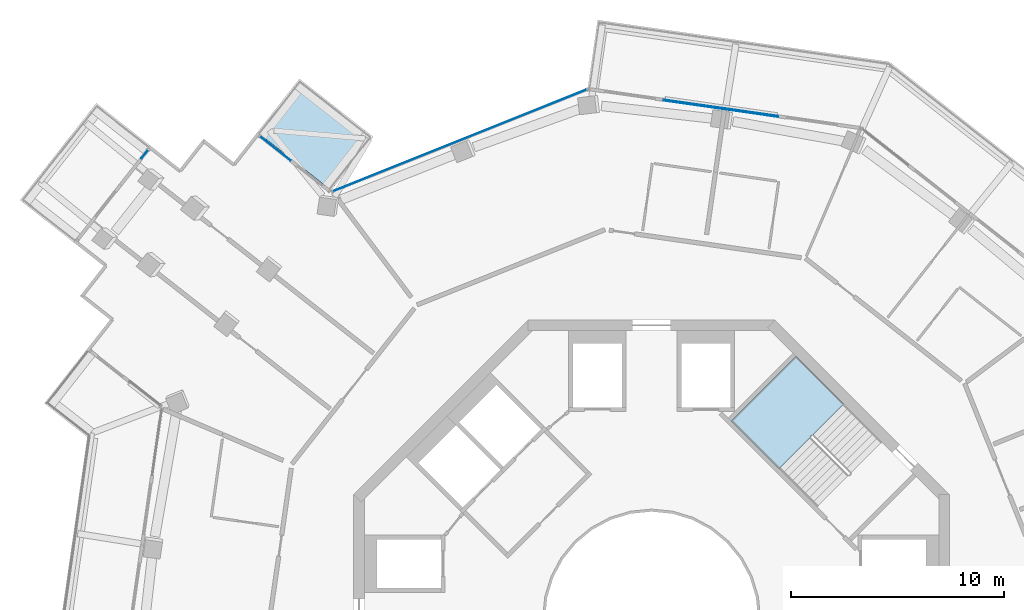
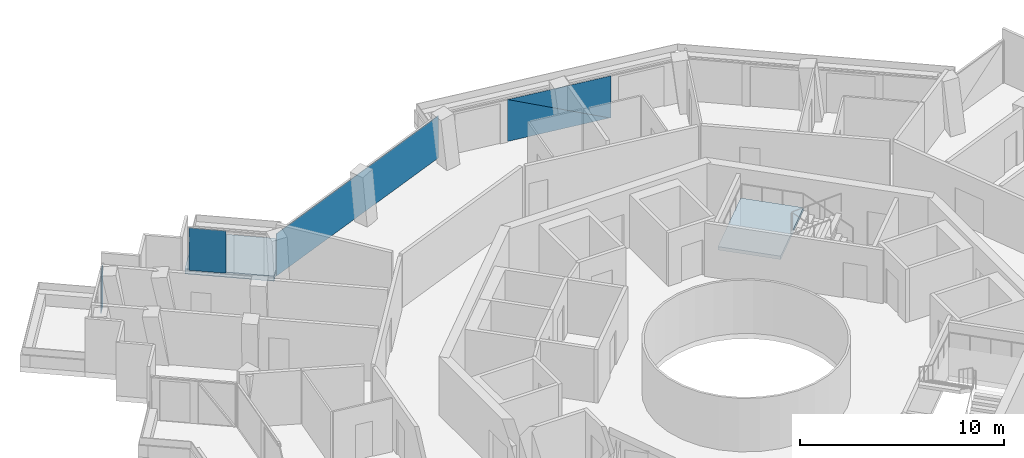
# One storey, part 13 of 23: 5 plates, 2 slabs, 5 elements without a shape of their own.
"""IFC4 building model written with IfcOpenShell, lengths in metres."""

from ifc_helpers import new_model, si_unit, direction, frame, origin, origin_2d, place, context, subcontext, project, spatial, polyline, rectangle, outline, extrude, material, layer, layer_set, type_object, element, aggregate, save


model = new_model("IFC4")

# Units and contexts
model_context = context("Model", 3, precision=1e-05, world=origin(), true_north=direction((0.0, 1.0)))
body_context = subcontext(model_context, "Body", "Model", "MODEL_VIEW")
ifc_project = project(units=[si_unit("LENGTHUNIT", "METRE"), si_unit("AREAUNIT", "SQUARE_METRE"), si_unit("VOLUMEUNIT", "CUBIC_METRE"), si_unit("PLANEANGLEUNIT", "RADIAN"), si_unit("MASSUNIT", "GRAM", prefix="KILO")], contexts=[model_context])

# Site, building, storey
site_placement = place(None, origin())
site = spatial("IfcSite", under=ifc_project, at=site_placement, CompositionType="ELEMENT")
building_placement = place(site_placement, origin())
building = spatial("IfcBuilding", under=site, at=building_placement, Name="Verdalira Terraces Hotel", CompositionType="ELEMENT")
storey_placement = place(building_placement, frame((0.0, 0.0, 244.5)))
storey = spatial("IfcBuildingStorey", under=building, at=storey_placement, Name="L60", CompositionType="ELEMENT", Elevation=244.5)

# Slab
ifc_material_1 = material(Name="Precast concrete C40/50", Category="concrete")
ifc_layer_1 = layer(ifc_material_1, 0.31005859375)
ifc_layer_set_1 = layer_set([ifc_layer_1], Name="Balcony deck 310")
slab_type_1 = type_object("IfcSlabType", Name="Balcony deck 310", PredefinedType="FLOOR", material=ifc_layer_set_1)
slab_1_placement = place(storey_placement, frame((0.0, 0.0, -0.310059)))
element("IfcSlab", 1, at=slab_1_placement, inside=storey, type_object=slab_type_1, Name="Balcony deck", PredefinedType="FLOOR", context=body_context, shape_type="SweptSolid", body=[
    extrude(outline(polyline([(-16.549072, 25.340576), (-18.526123, 22.824463), (-15.057861, 20.099121), (-13.080811, 22.615234), (-16.549072, 25.340576)])), origin(), (0.0, 0.0, 1.0), 0.310059),
])

# Curtain wall, plates
ifc_material_2 = material(Name="Clear glass", Category="glass")
ifc_layer_2 = layer(ifc_material_2, 0.14990234375)
ifc_layer_set_2 = layer_set([ifc_layer_2], Name="CW1 curtain wall")
curtain_wall_type_1 = type_object("IfcCurtainWallType", Name="CW1 curtain wall", PredefinedType="NOTDEFINED", material=ifc_layer_set_2)
curtain_wall_1_placement = place(storey_placement, origin())
curtain_wall_1 = element("IfcCurtainWall", 2, at=curtain_wall_1_placement, inside=storey, type_object=curtain_wall_type_1, Name="CW1 curtain wall L60 edge 40", PredefinedType="NOTDEFINED")
ifc_material_3 = material(Name="Clear glass", Category="glass")
ifc_layer_3 = layer(ifc_material_3, 0.028076171875)
ifc_layer_set_3 = layer_set([ifc_layer_3], Name="CW1 glass unit 28")
plate_type_1 = type_object("IfcPlateType", Name="CW1 glass unit 28", PredefinedType="CURTAIN_PANEL", material=ifc_layer_set_3)
plate_1_placement = place(storey_placement, frame((3.25293, 23.949951, 1.262451), z_axis=(0.141937905, 0.989875563, 0.0), x_axis=(-0.989875563, 0.141937905, 0.0)))
plate_1 = element("IfcPlate", 3, at=plate_1_placement, type_object=plate_type_1, Name="CW1 glass unit", PredefinedType="CURTAIN_PANEL", context=body_context, shape_type="SweptSolid", body=[
    extrude(outline(polyline([(-2.716309, -1.262451), (2.716309, -1.262451), (2.716309, 1.262451), (-2.716309, -1.262451)])), origin(), (0.0, 0.0, 1.0), 0.028076),
])
plate_2_placement = place(storey_placement, frame((3.248779, 23.921143, 1.262451), z_axis=(0.141937905, 0.989875563, 0.0), x_axis=(-0.989875563, 0.141937905, 0.0)))
plate_2 = element("IfcPlate", 4, at=plate_2_placement, type_object=plate_type_1, Name="CW1 glass unit", PredefinedType="CURTAIN_PANEL", context=body_context, shape_type="SweptSolid", body=[
    extrude(outline(polyline([(-2.716309, -1.262451), (2.716309, 1.262451), (-2.716309, 1.262451), (-2.716309, -1.262451)])), origin(), (0.0, 0.0, 1.0), 0.028076),
])
aggregate(curtain_wall_1, [plate_1, plate_2])

# Curtain wall, plate
curtain_wall_2_placement = place(storey_placement, origin())
curtain_wall_2 = element("IfcCurtainWall", 5, at=curtain_wall_2_placement, inside=storey, type_object=curtain_wall_type_1, Name="CW1 curtain wall L60 edge 41", PredefinedType="NOTDEFINED")
plate_3_placement = place(storey_placement, frame((-9.015137, 22.440186, 0.0), z_axis=(0.0, 0.0, 1.0), x_axis=(-0.928226337, -0.37201595, 0.0)))
plate_3 = element("IfcPlate", 6, at=plate_3_placement, type_object=plate_type_1, Name="CW1 glass unit", PredefinedType="CURTAIN_PANEL", context=body_context, shape_type="SweptSolid", body=[
    extrude(rectangle(XDim=12.839844, YDim=0.028076, at=origin_2d()), origin(), (0.0, 0.0, 1.0), 2.524902),
])
aggregate(curtain_wall_2, [plate_3])

ifc_material_4 = material(Name="Clear glass", Category="glass")
ifc_layer_4 = layer(ifc_material_4, 0.14990234375)
ifc_layer_set_4 = layer_set([ifc_layer_4], Name="CW2 curtain wall")
curtain_wall_type_2 = type_object("IfcCurtainWallType", Name="CW2 curtain wall", PredefinedType="NOTDEFINED", material=ifc_layer_set_4)
curtain_wall_3_placement = place(storey_placement, origin())
curtain_wall_3 = element("IfcCurtainWall", 7, at=curtain_wall_3_placement, inside=storey, type_object=curtain_wall_type_2, Name="CW2 curtain wall L60 edge 0", PredefinedType="NOTDEFINED")
ifc_material_5 = material(Name="Clear glass", Category="glass")
ifc_layer_5 = layer(ifc_material_5, 0.031982421875)
ifc_layer_set_5 = layer_set([ifc_layer_5], Name="CW2 glass unit 32")
plate_type_2 = type_object("IfcPlateType", Name="CW2 glass unit 32", PredefinedType="CURTAIN_PANEL", material=ifc_layer_set_5)
plate_4_placement = place(storey_placement, frame((-17.683594, 22.066895, 0.0), z_axis=(0.0, 0.0, 1.0), x_axis=(-0.786288432, 0.617859613, 0.0)))
plate_4 = element("IfcPlate", 8, at=plate_4_placement, type_object=plate_type_2, Name="CW2 glass unit", PredefinedType="CURTAIN_PANEL", context=body_context, shape_type="SweptSolid", body=[
    extrude(rectangle(XDim=1.820801, YDim=0.031982, at=origin_2d()), origin(), (0.0, 0.0, 1.0), 2.524902),
])
aggregate(curtain_wall_3, [plate_4])

ifc_material_6 = material(Name="Clear glass", Category="glass")
ifc_layer_6 = layer(ifc_material_6, 0.14990234375)
ifc_layer_set_6 = layer_set([ifc_layer_6], Name="CW3 curtain wall")
curtain_wall_type_3 = type_object("IfcCurtainWallType", Name="CW3 curtain wall", PredefinedType="NOTDEFINED", material=ifc_layer_set_6)
curtain_wall_4_placement = place(storey_placement, origin())
curtain_wall_4 = element("IfcCurtainWall", 9, at=curtain_wall_4_placement, inside=storey, type_object=curtain_wall_type_3, Name="CW3 curtain wall L60 edge 5", PredefinedType="NOTDEFINED")
ifc_material_7 = material(Name="Clear glass", Category="glass")
ifc_layer_7 = layer(ifc_material_7, 0.035888671875)
ifc_layer_set_7 = layer_set([ifc_layer_7], Name="CW3 glass unit 36")
plate_type_3 = type_object("IfcPlateType", Name="CW3 glass unit 36", PredefinedType="CURTAIN_PANEL", material=ifc_layer_set_7)
plate_5_placement = place(storey_placement, frame((-23.821777, 21.790283, 0.0), z_axis=(0.0, 0.0, 1.0), x_axis=(-0.617859613, -0.786288432, 0.0)))
plate_5 = element("IfcPlate", 10, at=plate_5_placement, type_object=plate_type_3, Name="CW3 glass unit", PredefinedType="CURTAIN_PANEL", context=body_context, shape_type="SweptSolid", body=[
    extrude(rectangle(XDim=0.51001, YDim=0.035889, at=origin_2d()), origin(), (0.0, 0.0, 1.0), 2.524902),
])
aggregate(curtain_wall_4, [plate_5])

# Stair, slab
ifc_material_8 = material(Name="Concrete C40", Category="concrete")
stair_type = type_object("IfcStairType", Name="Core stair 20 risers 2100 mm wide", PredefinedType="HALF_TURN_STAIR", material=ifc_material_8)
stair_placement = place(storey_placement, origin())
stair = element("IfcStair", 11, at=stair_placement, inside=storey, type_object=stair_type, Name="L60 Exit stair ST1", PredefinedType="HALF_TURN_STAIR")
ifc_material_9 = material(Name="Concrete C40", Category="concrete")
ifc_layer_8 = layer(ifc_material_9, 0.199951171875)
ifc_layer_set_8 = layer_set([ifc_layer_8], Name="Core stair landing 200 mm")
slab_type_2 = type_object("IfcSlabType", Name="Core stair landing 200 mm", PredefinedType="LANDING", material=ifc_layer_set_8)
slab_2_placement = place(storey_placement, frame((0.0, 0.0, 1.550049)))
slab_2 = element("IfcSlab", 12, at=slab_2_placement, type_object=slab_type_2, Name="ST1 landing 1", PredefinedType="LANDING", context=body_context, shape_type="SweptSolid", body=[
    extrude(outline(polyline([(9.037109, 10.054688), (6.78833, 12.303711), (3.747559, 9.263184), (5.996582, 7.01416), (9.037109, 10.054688)])), origin(), (0.0, 0.0, 1.0), 0.199951),
])
aggregate(stair, [slab_2])

save(model, "model.ifc")
